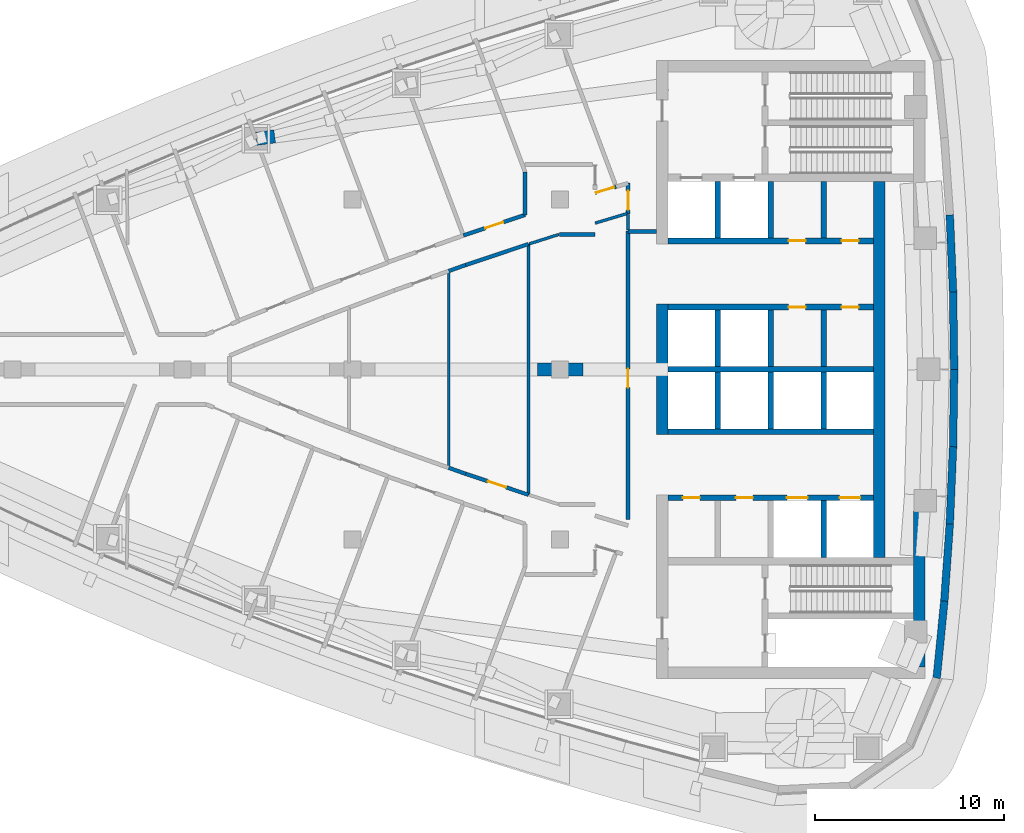
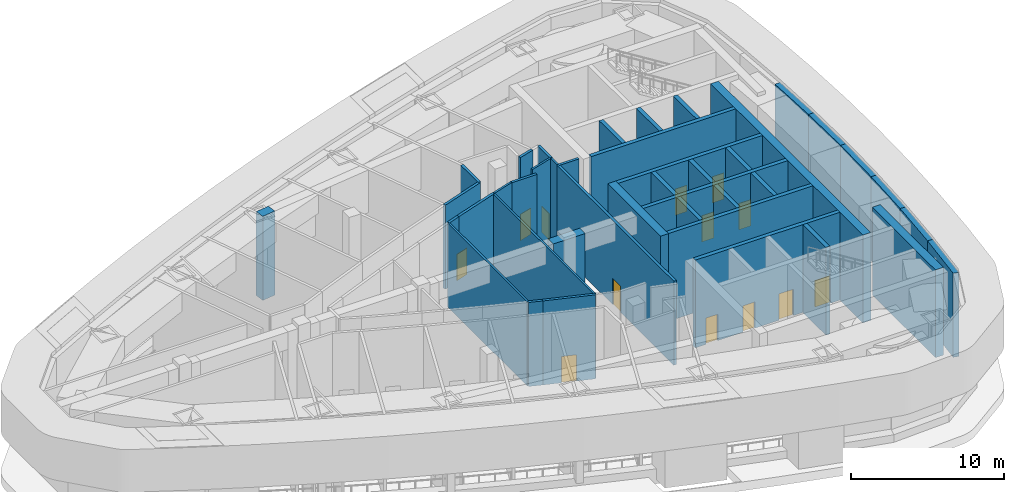
# One storey, part 4 of 12: 42 walls, 13 doors, 13 openings.
"""IFC4 building model written with IfcOpenShell, lengths in metres."""

from ifc_helpers import new_model, si_unit, direction, frame, frame_2d, origin, place, context, subcontext, project, spatial, polyline, rectangle, outline, extrude, material, layer, layer_set, type_object, element, fill, save


model = new_model("IFC4")

# Units and contexts
model_context = context("Model", 3, precision=1e-05, world=origin(), true_north=direction((0.0, 1.0)))
body_context = subcontext(model_context, "Body", "Model", "MODEL_VIEW")
ifc_project = project(units=[si_unit("LENGTHUNIT", "METRE"), si_unit("AREAUNIT", "SQUARE_METRE"), si_unit("VOLUMEUNIT", "CUBIC_METRE"), si_unit("PLANEANGLEUNIT", "RADIAN"), si_unit("MASSUNIT", "GRAM", prefix="KILO")], contexts=[model_context])

# Site, building, storey
site_placement = place(None, origin())
site = spatial("IfcSite", under=ifc_project, at=site_placement, CompositionType="ELEMENT")
building_placement = place(site_placement, origin())
building = spatial("IfcBuilding", under=site, at=building_placement, Name="Ostrand Prow Hotel Tower", CompositionType="ELEMENT")
storey_placement = place(building_placement, frame((0.0, 0.0, 256.300048828125)))
storey = spatial("IfcBuildingStorey", under=building, at=storey_placement, Name="L65", CompositionType="ELEMENT", Elevation=256.300048828125)

# Wall
ifc_material_1 = material(Name="Concrete C50/60", Category="concrete")
ifc_layer_1 = layer(ifc_material_1, 0.300048828125)
ifc_layer_set_1 = layer_set([ifc_layer_1], Name="Concrete C50/60")
wall_type_1 = type_object("IfcWallType", Name="Core wall 300 C50/60", PredefinedType="SHEAR", material=ifc_layer_set_1)
wall_1_placement = place(storey_placement, frame((50.699951171875, 0.0, 0.0), z_axis=(0.0, 0.0, 1.0), x_axis=(1.0, 0.0, 0.0)))
element("IfcWall", 1, at=wall_1_placement, inside=storey, type_object=wall_type_1, Name="Core wall PW-C", PredefinedType="SHEAR", context=body_context, shape_type="SweptSolid", body=[
    extrude(rectangle(XDim=10.900146484375, YDim=0.300048828125, at=frame_2d((5.4501953125, 0.0))), origin(), (0.0, 0.0, 1.0), 7.0),
])

# Wall, openings, doors
wall_2_placement = place(storey_placement, frame((50.699951171875, 3.300048828125, 0.0), z_axis=(0.0, 0.0, 1.0), x_axis=(1.0, 0.0, 0.0)))
wall_2 = element("IfcWall", 2, at=wall_2_placement, inside=storey, type_object=wall_type_1, Name="Core wall PW-L1-N", PredefinedType="SHEAR", context=body_context, shape_type="SweptSolid", body=[
    extrude(rectangle(XDim=10.900146484375, YDim=0.300048828125, at=frame_2d((5.4501953125, 0.0))), origin(), (0.0, 0.0, 1.0), 7.0),
])
opening_1_placement = place(wall_2_placement, frame((6.39990234375, 0.0, 0.0)))
opening_1 = element("IfcOpeningElement", 3, at=opening_1_placement, cuts=wall_2, Name="Opening FD2", PredefinedType="OPENING", context=body_context, shape_type="SweptSolid", body=[
    extrude(rectangle(XDim=0.89990234375, YDim=2.10009765625, at=frame_2d((0.449951171875, 1.050048828125))), frame((0.0, 0.159912109375, 0.0), z_axis=(0.0, -1.0, 0.0), x_axis=(1.0, 0.0, 0.0)), (0.0, 0.0, 1.0), 0.320068359375),
])
opening_2_placement = place(wall_2_placement, frame((9.199951171875, 0.0, 0.0)))
opening_2 = element("IfcOpeningElement", 4, at=opening_2_placement, cuts=wall_2, Name="Opening FD2", PredefinedType="OPENING", context=body_context, shape_type="SweptSolid", body=[
    extrude(rectangle(XDim=0.89990234375, YDim=2.10009765625, at=frame_2d((0.449951171875, 1.050048828125))), frame((0.0, 0.159912109375, 0.0), z_axis=(0.0, -1.0, 0.0), x_axis=(1.0, 0.0, 0.0)), (0.0, 0.0, 1.0), 0.320068359375),
])
ifc_material_2 = material(Name="Steel fire door", Category="steel")
door_type_1 = type_object("IfcDoorType", Name="Fire door 900 EI120", OperationType="SINGLE_SWING_LEFT", PredefinedType="DOOR", material=ifc_material_2)
door_1_placement = place(opening_1_placement, origin())
door_1 = element("IfcDoor", 5, at=door_1_placement, inside=storey, type_object=door_type_1, Name="DOOR", OperationType="SINGLE_SWING_LEFT", OverallHeight=2.10009765625, OverallWidth=0.89990234375, PredefinedType="DOOR", context=body_context, shape_type="SweptSolid", body=[
    extrude(rectangle(XDim=0.89990234375, YDim=2.10009765625, at=frame_2d((0.449951171875, 1.050048828125))), frame((0.0, 0.02490234375, 0.0), z_axis=(0.0, -1.0, 0.0), x_axis=(1.0, 0.0, 0.0)), (0.0, 0.0, 1.0), 0.050048828125),
])
fill(opening_1, door_1)
door_2_placement = place(opening_2_placement, origin())
door_2 = element("IfcDoor", 6, at=door_2_placement, inside=storey, type_object=door_type_1, Name="DOOR", OperationType="SINGLE_SWING_LEFT", OverallHeight=2.10009765625, OverallWidth=0.89990234375, PredefinedType="DOOR", context=body_context, shape_type="SweptSolid", body=[
    extrude(rectangle(XDim=0.89990234375, YDim=2.10009765625, at=frame_2d((0.449951171875, 1.050048828125))), frame((0.0, 0.02490234375, 0.0), z_axis=(0.0, -1.0, 0.0), x_axis=(1.0, 0.0, 0.0)), (0.0, 0.0, 1.0), 0.050048828125),
])
fill(opening_2, door_2)

wall_3_placement = place(storey_placement, frame((50.699951171875, 6.800048828125, 0.0), z_axis=(0.0, 0.0, 1.0), x_axis=(1.0, 0.0, 0.0)))
wall_3 = element("IfcWall", 7, at=wall_3_placement, inside=storey, type_object=wall_type_1, Name="Core wall PW-L2-N", PredefinedType="SHEAR", context=body_context, shape_type="SweptSolid", body=[
    extrude(rectangle(XDim=10.900146484375, YDim=0.300048828125, at=frame_2d((5.4501953125, 0.0))), origin(), (0.0, 0.0, 1.0), 7.0),
])
opening_3_placement = place(wall_3_placement, frame((6.39990234375, 0.0, 0.0)))
opening_3 = element("IfcOpeningElement", 8, at=opening_3_placement, cuts=wall_3, Name="Opening FD2", PredefinedType="OPENING", context=body_context, shape_type="SweptSolid", body=[
    extrude(rectangle(XDim=0.89990234375, YDim=2.10009765625, at=frame_2d((0.449951171875, 1.050048828125))), frame((0.0, 0.159912109375, 0.0), z_axis=(0.0, -1.0, 0.0), x_axis=(1.0, 0.0, 0.0)), (0.0, 0.0, 1.0), 0.320068359375),
])
opening_4_placement = place(wall_3_placement, frame((9.199951171875, 0.0, 0.0)))
opening_4 = element("IfcOpeningElement", 9, at=opening_4_placement, cuts=wall_3, Name="Opening FD2", PredefinedType="OPENING", context=body_context, shape_type="SweptSolid", body=[
    extrude(rectangle(XDim=0.89990234375, YDim=2.10009765625, at=frame_2d((0.449951171875, 1.050048828125))), frame((0.0, 0.159912109375, 0.0), z_axis=(0.0, -1.0, 0.0), x_axis=(1.0, 0.0, 0.0)), (0.0, 0.0, 1.0), 0.320068359375),
])
door_3_placement = place(opening_3_placement, origin())
door_3 = element("IfcDoor", 10, at=door_3_placement, inside=storey, type_object=door_type_1, Name="DOOR", OperationType="SINGLE_SWING_LEFT", OverallHeight=2.10009765625, OverallWidth=0.89990234375, PredefinedType="DOOR", context=body_context, shape_type="SweptSolid", body=[
    extrude(rectangle(XDim=0.89990234375, YDim=2.10009765625, at=frame_2d((0.449951171875, 1.050048828125))), frame((0.0, 0.02490234375, 0.0), z_axis=(0.0, -1.0, 0.0), x_axis=(1.0, 0.0, 0.0)), (0.0, 0.0, 1.0), 0.050048828125),
])
fill(opening_3, door_3)
door_4_placement = place(opening_4_placement, origin())
door_4 = element("IfcDoor", 11, at=door_4_placement, inside=storey, type_object=door_type_1, Name="DOOR", OperationType="SINGLE_SWING_LEFT", OverallHeight=2.10009765625, OverallWidth=0.89990234375, PredefinedType="DOOR", context=body_context, shape_type="SweptSolid", body=[
    extrude(rectangle(XDim=0.89990234375, YDim=2.10009765625, at=frame_2d((0.449951171875, 1.050048828125))), frame((0.0, 0.02490234375, 0.0), z_axis=(0.0, -1.0, 0.0), x_axis=(1.0, 0.0, 0.0)), (0.0, 0.0, 1.0), 0.050048828125),
])
fill(opening_4, door_4)

# Walls
for number, where, z_axis, x_axis, name in (
    (12, (53.35009765625, 0.14990234375, 0.0), (0.0, 0.0, 1.0), (0.0, 1.0, 0.0), "Core wall PW-R1-NB"),
    (13, (53.35009765625, 6.949951171875, 0.0), (0.0, 0.0, 1.0), (0.0, 1.0, 0.0), "Core wall PW-R1-NA"),
    (14, (56.14990234375, 0.14990234375, 0.0), (0.0, 0.0, 1.0), (0.0, 1.0, 0.0), "Core wall PW-R2-NB"),
    (15, (56.14990234375, 6.949951171875, 0.0), (0.0, 0.0, 1.0), (0.0, 1.0, 0.0), "Core wall PW-R2-NA"),
    (16, (58.949951171875, 0.14990234375, 0.0), (0.0, 0.0, 1.0), (0.0, 1.0, 0.0), "Core wall PW-R3-NB"),
    (17, (58.949951171875, 6.949951171875, 0.0), (0.0, 0.0, 1.0), (0.0, 1.0, 0.0), "Core wall PW-R3-NA"),
):
    element("IfcWall", number, at=place(storey_placement, frame(where, z_axis=z_axis, x_axis=x_axis)), inside=storey, type_object=wall_type_1, Name=name, PredefinedType="SHEAR", context=body_context, shape_type="SweptSolid", body=[
        extrude(rectangle(XDim=3.0, YDim=0.300048828125, at=frame_2d((1.5, 0.0))), origin(), (0.0, 0.0, 1.0), 7.0),
    ])
wall_4_placement = place(storey_placement, frame((50.699951171875, -3.300048828125, 0.0), z_axis=(0.0, 0.0, 1.0), x_axis=(1.0, 0.0, 0.0)))
element("IfcWall", 18, at=wall_4_placement, inside=storey, type_object=wall_type_1, Name="Core wall PW-L1-S", PredefinedType="SHEAR", context=body_context, shape_type="SweptSolid", body=[
    extrude(rectangle(XDim=10.900146484375, YDim=0.300048828125, at=frame_2d((5.4501953125, 0.0))), origin(), (0.0, 0.0, 1.0), 7.0),
])

# Wall, openings, doors
wall_5_placement = place(storey_placement, frame((50.699951171875, -6.800048828125, 0.0), z_axis=(0.0, 0.0, 1.0), x_axis=(1.0, 0.0, 0.0)))
wall_5 = element("IfcWall", 19, at=wall_5_placement, inside=storey, type_object=wall_type_1, Name="Core wall PW-L2-S", PredefinedType="SHEAR", context=body_context, shape_type="SweptSolid", body=[
    extrude(rectangle(XDim=10.900146484375, YDim=0.300048828125, at=frame_2d((5.4501953125, 0.0))), origin(), (0.0, 0.0, 1.0), 7.0),
])
opening_5_placement = place(wall_5_placement, frame((6.300048828125, 0.0, 0.0)))
opening_5 = element("IfcOpeningElement", 20, at=opening_5_placement, cuts=wall_5, Name="Opening LD", PredefinedType="OPENING", context=body_context, shape_type="SweptSolid", body=[
    extrude(rectangle(XDim=1.10009765625, YDim=2.10009765625, at=frame_2d((0.550048828125, 1.050048828125))), frame((0.0, 0.159912109375, 0.0), z_axis=(0.0, -1.0, 0.0), x_axis=(1.0, 0.0, 0.0)), (0.0, 0.0, 1.0), 0.320068359375),
])
opening_6_placement = place(wall_5_placement, frame((9.10009765625, 0.0, 0.0)))
opening_6 = element("IfcOpeningElement", 21, at=opening_6_placement, cuts=wall_5, Name="Opening LD", PredefinedType="OPENING", context=body_context, shape_type="SweptSolid", body=[
    extrude(rectangle(XDim=1.10009765625, YDim=2.10009765625, at=frame_2d((0.550048828125, 1.050048828125))), frame((0.0, 0.159912109375, 0.0), z_axis=(0.0, -1.0, 0.0), x_axis=(1.0, 0.0, 0.0)), (0.0, 0.0, 1.0), 0.320068359375),
])
opening_7_placement = place(wall_5_placement, frame((0.800048828125, 0.0, 0.0)))
opening_7 = element("IfcOpeningElement", 22, at=opening_7_placement, cuts=wall_5, Name="Opening FD2", PredefinedType="OPENING", context=body_context, shape_type="SweptSolid", body=[
    extrude(rectangle(XDim=0.89990234375, YDim=2.10009765625, at=frame_2d((0.449951171875, 1.050048828125))), frame((0.0, 0.159912109375, 0.0), z_axis=(0.0, -1.0, 0.0), x_axis=(1.0, 0.0, 0.0)), (0.0, 0.0, 1.0), 0.320068359375),
])
opening_8_placement = place(wall_5_placement, frame((3.60009765625, 0.0, 0.0)))
opening_8 = element("IfcOpeningElement", 23, at=opening_8_placement, cuts=wall_5, Name="Opening FD2", PredefinedType="OPENING", context=body_context, shape_type="SweptSolid", body=[
    extrude(rectangle(XDim=0.89990234375, YDim=2.10009765625, at=frame_2d((0.449951171875, 1.050048828125))), frame((0.0, 0.159912109375, 0.0), z_axis=(0.0, -1.0, 0.0), x_axis=(1.0, 0.0, 0.0)), (0.0, 0.0, 1.0), 0.320068359375),
])
door_5_placement = place(opening_7_placement, origin())
door_5 = element("IfcDoor", 24, at=door_5_placement, inside=storey, type_object=door_type_1, Name="DOOR", OperationType="SINGLE_SWING_LEFT", OverallHeight=2.10009765625, OverallWidth=0.89990234375, PredefinedType="DOOR", context=body_context, shape_type="SweptSolid", body=[
    extrude(rectangle(XDim=0.89990234375, YDim=2.10009765625, at=frame_2d((0.449951171875, 1.050048828125))), frame((0.0, 0.02490234375, 0.0), z_axis=(0.0, -1.0, 0.0), x_axis=(1.0, 0.0, 0.0)), (0.0, 0.0, 1.0), 0.050048828125),
])
fill(opening_7, door_5)
door_6_placement = place(opening_8_placement, origin())
door_6 = element("IfcDoor", 25, at=door_6_placement, inside=storey, type_object=door_type_1, Name="DOOR", OperationType="SINGLE_SWING_LEFT", OverallHeight=2.10009765625, OverallWidth=0.89990234375, PredefinedType="DOOR", context=body_context, shape_type="SweptSolid", body=[
    extrude(rectangle(XDim=0.89990234375, YDim=2.10009765625, at=frame_2d((0.449951171875, 1.050048828125))), frame((0.0, 0.02490234375, 0.0), z_axis=(0.0, -1.0, 0.0), x_axis=(1.0, 0.0, 0.0)), (0.0, 0.0, 1.0), 0.050048828125),
])
fill(opening_8, door_6)
ifc_material_3 = material(Name="Stainless steel door", Category="steel")
door_type_2 = type_object("IfcDoorType", Name="Lift landing door 1100", OperationType="DOUBLE_DOOR_SLIDING", PredefinedType="DOOR", material=ifc_material_3)
door_7_placement = place(opening_5_placement, origin())
door_7 = element("IfcDoor", 26, at=door_7_placement, inside=storey, type_object=door_type_2, Name="LIFT LANDING DOOR", OperationType="DOUBLE_DOOR_SLIDING", OverallHeight=2.10009765625, OverallWidth=1.10009765625, PredefinedType="DOOR", context=body_context, shape_type="SweptSolid", body=[
    extrude(rectangle(XDim=1.10009765625, YDim=2.10009765625, at=frame_2d((0.550048828125, 1.050048828125))), frame((0.0, 0.02490234375, 0.0), z_axis=(0.0, -1.0, 0.0), x_axis=(1.0, 0.0, 0.0)), (0.0, 0.0, 1.0), 0.050048828125),
])
fill(opening_5, door_7)
door_8_placement = place(opening_6_placement, origin())
door_8 = element("IfcDoor", 27, at=door_8_placement, inside=storey, type_object=door_type_2, Name="LIFT LANDING DOOR", OperationType="DOUBLE_DOOR_SLIDING", OverallHeight=2.10009765625, OverallWidth=1.10009765625, PredefinedType="DOOR", context=body_context, shape_type="SweptSolid", body=[
    extrude(rectangle(XDim=1.10009765625, YDim=2.10009765625, at=frame_2d((0.550048828125, 1.050048828125))), frame((0.0, 0.02490234375, 0.0), z_axis=(0.0, -1.0, 0.0), x_axis=(1.0, 0.0, 0.0)), (0.0, 0.0, 1.0), 0.050048828125),
])
fill(opening_6, door_8)

# Walls
for number, where, z_axis, x_axis, name in (
    (28, (53.35009765625, -3.14990234375, 0.0), (0.0, 0.0, 1.0), (0.0, 1.0, 0.0), "Core wall PW-R1-SB"),
    (29, (56.14990234375, -3.14990234375, 0.0), (0.0, 0.0, 1.0), (0.0, 1.0, 0.0), "Core wall PW-R2-SB"),
    (30, (58.949951171875, -3.14990234375, 0.0), (0.0, 0.0, 1.0), (0.0, 1.0, 0.0), "Core wall PW-R3-SB"),
    (31, (58.949951171875, -9.949951171875, 0.0), (0.0, 0.0, 1.0), (0.0, 1.0, 0.0), "Core wall PW-R3-SA"),
):
    element("IfcWall", number, at=place(storey_placement, frame(where, z_axis=z_axis, x_axis=x_axis)), inside=storey, type_object=wall_type_1, Name=name, PredefinedType="SHEAR", context=body_context, shape_type="SweptSolid", body=[
        extrude(rectangle(XDim=3.0, YDim=0.300048828125, at=frame_2d((1.5, 0.0))), origin(), (0.0, 0.0, 1.0), 7.0),
    ])
ifc_material_4 = material(Name="Concrete C50/60", Category="concrete")
ifc_layer_2 = layer(ifc_material_4, 0.60009765625)
ifc_layer_set_2 = layer_set([ifc_layer_2], Name="Concrete C50/60")
wall_type_2 = type_object("IfcWallType", Name="Core wall 600 C50/60", PredefinedType="SHEAR", material=ifc_layer_set_2)
wall_6_placement = place(storey_placement, frame((50.39990234375, -3.449951171875, 0.0), z_axis=(0.0, 0.0, 1.0), x_axis=(0.0, 1.0, 0.0)))
element("IfcWall", 32, at=wall_6_placement, inside=storey, type_object=wall_type_2, Name="Core wall CW-W-C", PredefinedType="SHEAR", context=body_context, shape_type="SweptSolid", body=[
    extrude(rectangle(XDim=6.89990234375, YDim=0.60009765625, at=frame_2d((3.449951171875, 0.0))), origin(), (0.0, 0.0, 1.0), 7.0),
])
wall_7_placement = place(storey_placement, frame((64.02001953125, -15.75, 0.0), z_axis=(0.0, 0.0, 1.0), x_axis=(0.0, 1.0, 0.0)))
element("IfcWall", 33, at=wall_7_placement, inside=storey, type_object=wall_type_2, Name="Core wall CW-E-S", PredefinedType="SHEAR", context=body_context, shape_type="SweptSolid", body=[
    extrude(rectangle(XDim=8.247802734375, YDim=0.60009765625, at=frame_2d((4.1240234375, 0.0))), origin(), (0.0, 0.0, 1.0), 7.0),
])
wall_8_placement = place(storey_placement, frame((61.89990234375, -9.949951171875, 0.0), z_axis=(0.0, 0.0, 1.0), x_axis=(0.0, 1.0, 0.0)))
element("IfcWall", 34, at=wall_8_placement, inside=storey, type_object=wall_type_2, Name="Core wall CW-E-C", PredefinedType="SHEAR", context=body_context, shape_type="SweptSolid", body=[
    extrude(rectangle(XDim=19.89990234375, YDim=0.60009765625, at=frame_2d((9.949951171875, 0.0))), origin(), (0.0, 0.0, 1.0), 7.0),
])
ifc_material_5 = material(Name="Concrete C50/60", Category="concrete")
ifc_layer_3 = layer(ifc_material_5, 0.699951171875)
ifc_layer_set_3 = layer_set([ifc_layer_3], Name="Concrete C50/60")
wall_type_3 = type_object("IfcWallType", Name="Outrigger wall 700 C50/60", PredefinedType="SHEAR", material=ifc_layer_set_3)
wall_9_placement = place(storey_placement, frame((43.800048828125, 0.0, 0.0), z_axis=(0.0, 0.0, 1.0), x_axis=(1.0, 0.0, 0.0)))
element("IfcWall", 35, at=wall_9_placement, inside=storey, type_object=wall_type_3, Name="Outrigger wall A5", PredefinedType="SHEAR", context=body_context, shape_type="SweptSolid", body=[
    extrude(rectangle(XDim=2.39990234375, YDim=0.699951171875, at=frame_2d((1.199951171875, 0.0))), origin(), (0.0, 0.0, 1.0), 6.699951171875),
])
wall_10_placement = place(storey_placement, frame((29.8916015625, 12.336181640625, 0.0), z_axis=(0.0, 0.0, 1.0), x_axis=(-0.991401867066, -0.130852351822, 0.0)))
element("IfcWall", 36, at=wall_10_placement, inside=storey, type_object=wall_type_3, Name="Outrigger wall DN2", PredefinedType="SHEAR", context=body_context, shape_type="SweptSolid", body=[
    extrude(rectangle(XDim=1.0, YDim=0.699951171875, at=frame_2d((0.5, 0.0))), origin(), (0.0, 0.0, 1.0), 6.699951171875),
])
ifc_material_6 = material(Name="Plasterboard partition")
ifc_layer_4 = layer(ifc_material_6, 0.14990234375)
ifc_layer_set_4 = layer_set([ifc_layer_4], Name="Plasterboard partition")
wall_type_4 = type_object("IfcWallType", Name="Partition 150 room partition", PredefinedType="PARTITIONING", material=ifc_layer_set_4)
wall_11_placement = place(storey_placement, frame((39.10498046875, -5.20849609375, 0.0), z_axis=(0.0, 0.0, 1.0), x_axis=(0.0, 1.0, 0.0)))
element("IfcWall", 37, at=wall_11_placement, inside=storey, type_object=wall_type_4, Name="ROOM PARTITION", PredefinedType="PARTITIONING", context=body_context, shape_type="SweptSolid", body=[
    extrude(rectangle(XDim=10.4169921875, YDim=0.14990234375, at=frame_2d((5.20849609375, 0.0))), origin(), (0.0, 0.0, 1.0), 6.699951171875),
])
wall_12_placement = place(storey_placement, frame((43.324951171875, -6.638427734375, 0.0), z_axis=(0.0, 0.0, 1.0), x_axis=(0.0, 1.0, 0.0)))
element("IfcWall", 38, at=wall_12_placement, inside=storey, type_object=wall_type_4, Name="ROOM PARTITION", PredefinedType="PARTITIONING", context=body_context, shape_type="SweptSolid", body=[
    extrude(rectangle(XDim=13.27685546875, YDim=0.14990234375, at=frame_2d((6.638427734375, 0.0))), origin(), (0.0, 0.0, 1.0), 6.699951171875),
])
wall_13_placement = place(storey_placement, frame((43.3642578125, 6.645751953125, 0.0), z_axis=(0.0, 0.0, 1.0), x_axis=(0.952937461129, 0.303166942752, 0.0)))
element("IfcWall", 39, at=wall_13_placement, inside=storey, type_object=wall_type_4, Name="ROOM PARTITION", PredefinedType="PARTITIONING", context=body_context, shape_type="SweptSolid", body=[
    extrude(rectangle(XDim=1.646728515625, YDim=0.14990234375, at=frame_2d((0.8232421875, 0.0))), origin(), (0.0, 0.0, 1.0), 6.699951171875),
])
wall_14_placement = place(storey_placement, frame((46.85498046875, 7.744140625, 0.0), z_axis=(0.0, 0.0, 1.0), x_axis=(0.95802238392, 0.286693410996, 0.0)))
element("IfcWall", 40, at=wall_14_placement, inside=storey, type_object=wall_type_4, Name="ROOM PARTITION", PredefinedType="PARTITIONING", context=body_context, shape_type="SweptSolid", body=[
    extrude(rectangle(XDim=1.77978515625, YDim=0.14990234375, at=frame_2d((0.889892578125, 0.0))), origin(), (0.0, 0.0, 1.0), 6.699951171875),
])
wall_15_placement = place(storey_placement, frame((48.594970703125, 8.20068359375, 0.0), z_axis=(0.0, 0.0, 1.0), x_axis=(0.0, -1.0, 0.0)))
element("IfcWall", 41, at=wall_15_placement, inside=storey, type_object=wall_type_4, Name="ROOM PARTITION", PredefinedType="PARTITIONING", context=body_context, shape_type="SweptSolid", body=[
    extrude(rectangle(XDim=0.8310546875, YDim=0.14990234375, at=frame_2d((0.41552734375, 0.0))), origin(), (0.0, 0.0, 1.0), 6.699951171875),
])

# Wall, opening, door
ifc_material_7 = material(Name="Plasterboard partition")
ifc_layer_5 = layer(ifc_material_7, 0.199951171875)
ifc_layer_set_5 = layer_set([ifc_layer_5], Name="Plasterboard partition")
wall_type_5 = type_object("IfcWallType", Name="Partition 200 corridor wall", PredefinedType="PARTITIONING", material=ifc_layer_set_5)
wall_16_placement = place(storey_placement, frame((43.14990234375, 8.1826171875, 0.0), z_axis=(0.0, 0.0, 1.0), x_axis=(-0.948477584784, -0.316844238013, 0.0)))
wall_16 = element("IfcWall", 42, at=wall_16_placement, inside=storey, type_object=wall_type_5, Name="CORRIDOR WALL", PredefinedType="PARTITIONING", context=body_context, shape_type="SweptSolid", body=[
    extrude(rectangle(XDim=3.445068359375, YDim=0.199951171875, at=frame_2d((1.72265625, 0.0))), origin(), (0.0, 0.0, 1.0), 6.699951171875),
])
opening_9_placement = place(wall_16_placement, frame((1.222412109375, 0.0, 0.0)))
opening_9 = element("IfcOpeningElement", 43, at=opening_9_placement, cuts=wall_16, Name="Opening D1", PredefinedType="OPENING", context=body_context, shape_type="SweptSolid", body=[
    extrude(rectangle(XDim=1.0, YDim=2.10009765625, at=frame_2d((0.5, 1.050048828125))), frame((0.0, 0.10986328125, 0.0), z_axis=(0.0, -1.0, 0.0), x_axis=(1.0, 0.0, 0.0)), (0.0, 0.0, 1.0), 0.219970703125),
])
ifc_material_8 = material(Name="Timber door leaf", Category="wood")
door_type_3 = type_object("IfcDoorType", Name="Guest room door 1000", OperationType="SINGLE_SWING_LEFT", PredefinedType="DOOR", material=ifc_material_8)
door_9_placement = place(opening_9_placement, origin())
door_9 = element("IfcDoor", 44, at=door_9_placement, inside=storey, type_object=door_type_3, Name="DOOR", OperationType="SINGLE_SWING_LEFT", OverallHeight=2.10009765625, OverallWidth=1.0, PredefinedType="DOOR", context=body_context, shape_type="SweptSolid", body=[
    extrude(rectangle(XDim=1.0, YDim=2.10009765625, at=frame_2d((0.5, 1.050048828125))), frame((0.0, 0.02490234375, 0.0), z_axis=(0.0, -1.0, 0.0), x_axis=(1.0, 0.0, 0.0)), (0.0, 0.0, 1.0), 0.050048828125),
])
fill(opening_9, door_9)

wall_17_placement = place(storey_placement, frame((47.96923828125, 9.67138671875, 0.0), z_axis=(0.0, 0.0, 1.0), x_axis=(-0.958867721668, -0.283853293696, 0.0)))
wall_17 = element("IfcWall", 45, at=wall_17_placement, inside=storey, type_object=wall_type_5, Name="CORRIDOR WALL", PredefinedType="PARTITIONING", context=body_context, shape_type="SweptSolid", body=[
    extrude(rectangle(XDim=1.167236328125, YDim=0.199951171875, at=frame_2d((0.58349609375, 0.0))), origin(), (0.0, 0.0, 1.0), 6.699951171875),
])
opening_10_placement = place(wall_17_placement, frame((0.1171875, 0.0, 0.0)))
opening_10 = element("IfcOpeningElement", 46, at=opening_10_placement, cuts=wall_17, Name="Opening D1R", PredefinedType="OPENING", context=body_context, shape_type="SweptSolid", body=[
    extrude(rectangle(XDim=1.0, YDim=2.10009765625, at=frame_2d((0.5, 1.050048828125))), frame((0.0, 0.10986328125, 0.0), z_axis=(0.0, -1.0, 0.0), x_axis=(1.0, 0.0, 0.0)), (0.0, 0.0, 1.0), 0.219970703125),
])
ifc_material_9 = material(Name="Timber door leaf", Category="wood")
door_type_4 = type_object("IfcDoorType", Name="Guest room door 1000 right", OperationType="SINGLE_SWING_RIGHT", PredefinedType="DOOR", material=ifc_material_9)
door_10_placement = place(opening_10_placement, origin())
door_10 = element("IfcDoor", 47, at=door_10_placement, inside=storey, type_object=door_type_4, Name="DOOR", OperationType="SINGLE_SWING_RIGHT", OverallHeight=2.10009765625, OverallWidth=1.0, PredefinedType="DOOR", context=body_context, shape_type="SweptSolid", body=[
    extrude(rectangle(XDim=1.0, YDim=2.10009765625, at=frame_2d((0.5, 1.050048828125))), frame((0.0, 0.02490234375, 0.0), z_axis=(0.0, -1.0, 0.0), x_axis=(1.0, 0.0, 0.0)), (0.0, 0.0, 1.0), 0.050048828125),
])
fill(opening_10, door_10)

wall_18_placement = place(storey_placement, frame((43.324951171875, -6.638427734375, 0.0), z_axis=(0.0, 0.0, 1.0), x_axis=(-0.948467231483, 0.316875229077, 0.0)))
wall_18 = element("IfcWall", 48, at=wall_18_placement, inside=storey, type_object=wall_type_5, Name="CORRIDOR WALL", PredefinedType="PARTITIONING", context=body_context, shape_type="SweptSolid", body=[
    extrude(rectangle(XDim=3.50634765625, YDim=0.199951171875, at=frame_2d((1.753173828125, 0.0))), origin(), (0.0, 0.0, 1.0), 6.699951171875),
])
opening_11_placement = place(wall_18_placement, frame((1.253173828125, 0.0, 0.0)))
opening_11 = element("IfcOpeningElement", 49, at=opening_11_placement, cuts=wall_18, Name="Opening D1", PredefinedType="OPENING", context=body_context, shape_type="SweptSolid", body=[
    extrude(rectangle(XDim=1.0, YDim=2.10009765625, at=frame_2d((0.5, 1.050048828125))), frame((0.0, 0.10986328125, 0.0), z_axis=(0.0, -1.0, 0.0), x_axis=(1.0, 0.0, 0.0)), (0.0, 0.0, 1.0), 0.219970703125),
])
door_11_placement = place(opening_11_placement, origin())
door_11 = element("IfcDoor", 50, at=door_11_placement, inside=storey, type_object=door_type_3, Name="DOOR", OperationType="SINGLE_SWING_LEFT", OverallHeight=2.10009765625, OverallWidth=1.0, PredefinedType="DOOR", context=body_context, shape_type="SweptSolid", body=[
    extrude(rectangle(XDim=1.0, YDim=2.10009765625, at=frame_2d((0.5, 1.050048828125))), frame((0.0, 0.02490234375, 0.0), z_axis=(0.0, -1.0, 0.0), x_axis=(1.0, 0.0, 0.0)), (0.0, 0.0, 1.0), 0.050048828125),
])
fill(opening_11, door_11)

# Walls
for number, where, z_axis, x_axis, name in (
    (51, (39.999267578125, -5.52734375, 0.0), (0.0, 0.0, 1.0), (-0.941922126768, 0.335831367065, 0.0), "CORRIDOR WALL"),
    (52, (39.10498046875, 5.20849609375, 0.0), (0.0, 0.0, 1.0), (0.941922126768, 0.335831367065, 0.0), "CORRIDOR WALL"),
):
    element("IfcWall", number, at=place(storey_placement, frame(where, z_axis=z_axis, x_axis=x_axis)), inside=storey, type_object=wall_type_5, Name=name, PredefinedType="PARTITIONING", context=body_context, shape_type="SweptSolid", body=[
        extrude(rectangle(XDim=0.949462890625, YDim=0.199951171875, at=frame_2d((0.474609375, 0.0))), origin(), (0.0, 0.0, 1.0), 6.699951171875),
    ])
wall_19_placement = place(storey_placement, frame((39.999267578125, 5.52734375, 0.0), z_axis=(0.0, 0.0, 1.0), x_axis=(0.948467231483, 0.316875229077, 0.0)))
element("IfcWall", 53, at=wall_19_placement, inside=storey, type_object=wall_type_5, Name="CORRIDOR WALL", PredefinedType="PARTITIONING", context=body_context, shape_type="SweptSolid", body=[
    extrude(rectangle(XDim=3.50634765625, YDim=0.199951171875, at=frame_2d((1.753173828125, 0.0))), origin(), (0.0, 0.0, 1.0), 6.699951171875),
])

# Wall, opening, door
wall_20_placement = place(storey_placement, frame((48.60009765625, 8.240234375, 0.0), z_axis=(0.0, 0.0, 1.0), x_axis=(0.0, 1.0, 0.0)))
wall_20 = element("IfcWall", 54, at=wall_20_placement, inside=storey, type_object=wall_type_5, Name="CORRIDOR WALL", PredefinedType="PARTITIONING", context=body_context, shape_type="SweptSolid", body=[
    extrude(rectangle(XDim=1.623046875, YDim=0.199951171875, at=frame_2d((0.8115234375, 0.0))), origin(), (0.0, 0.0, 1.0), 6.699951171875),
])
opening_12_placement = place(wall_20_placement, frame((0.21142578125, 0.0, 0.0)))
opening_12 = element("IfcOpeningElement", 55, at=opening_12_placement, cuts=wall_20, Name="Opening D1R", PredefinedType="OPENING", context=body_context, shape_type="SweptSolid", body=[
    extrude(rectangle(XDim=1.0, YDim=2.10009765625, at=frame_2d((0.5, 1.050048828125))), frame((0.0, 0.10986328125, 0.0), z_axis=(0.0, -1.0, 0.0), x_axis=(1.0, 0.0, 0.0)), (0.0, 0.0, 1.0), 0.219970703125),
])
door_12_placement = place(opening_12_placement, origin())
door_12 = element("IfcDoor", 56, at=door_12_placement, inside=storey, type_object=door_type_4, Name="DOOR", OperationType="SINGLE_SWING_RIGHT", OverallHeight=2.10009765625, OverallWidth=1.0, PredefinedType="DOOR", context=body_context, shape_type="SweptSolid", body=[
    extrude(rectangle(XDim=1.0, YDim=2.10009765625, at=frame_2d((0.5, 1.050048828125))), frame((0.0, 0.02490234375, 0.0), z_axis=(0.0, -1.0, 0.0), x_axis=(1.0, 0.0, 0.0)), (0.0, 0.0, 1.0), 0.050048828125),
])
fill(opening_12, door_12)

wall_21_placement = place(storey_placement, frame((48.594970703125, 7.32958984375, 0.0), z_axis=(0.0, 0.0, 1.0), x_axis=(0.0, -1.0, 0.0)))
wall_21 = element("IfcWall", 57, at=wall_21_placement, inside=storey, type_object=wall_type_5, Name="CORRIDOR WALL", PredefinedType="PARTITIONING", context=body_context, shape_type="SweptSolid", body=[
    extrude(rectangle(XDim=15.28662109375, YDim=0.199951171875, at=frame_2d((7.643310546875, 0.0))), origin(), (0.0, 0.0, 1.0), 6.699951171875),
])
opening_13_placement = place(wall_21_placement, frame((7.297119140625, 0.0, 0.0)))
opening_13 = element("IfcOpeningElement", 58, at=opening_13_placement, cuts=wall_21, Name="Opening D1", PredefinedType="OPENING", context=body_context, shape_type="SweptSolid", body=[
    extrude(rectangle(XDim=1.0, YDim=2.10009765625, at=frame_2d((0.5, 1.050048828125))), frame((0.0, 0.10986328125, 0.0), z_axis=(0.0, -1.0, 0.0), x_axis=(1.0, 0.0, 0.0)), (0.0, 0.0, 1.0), 0.219970703125),
])
door_13_placement = place(opening_13_placement, origin())
door_13 = element("IfcDoor", 59, at=door_13_placement, inside=storey, type_object=door_type_3, Name="DOOR", OperationType="SINGLE_SWING_LEFT", OverallHeight=2.10009765625, OverallWidth=1.0, PredefinedType="DOOR", context=body_context, shape_type="SweptSolid", body=[
    extrude(rectangle(XDim=1.0, YDim=2.10009765625, at=frame_2d((0.5, 1.050048828125))), frame((0.0, 0.02490234375, 0.0), z_axis=(0.0, -1.0, 0.0), x_axis=(1.0, 0.0, 0.0)), (0.0, 0.0, 1.0), 0.050048828125),
])
fill(opening_13, door_13)

# Walls
wall_22_placement = place(storey_placement, frame((44.973388671875, 7.14501953125, 0.0), z_axis=(0.0, 0.0, 1.0), x_axis=(0.999999991552, 0.0001299883, 0.0)))
element("IfcWall", 60, at=wall_22_placement, inside=storey, type_object=wall_type_5, Name="CORRIDOR WALL", PredefinedType="PARTITIONING", context=body_context, shape_type="SweptSolid", body=[
    extrude(rectangle(XDim=1.878173828125, YDim=0.199951171875, at=frame_2d((0.93896484375, 0.0))), origin(), (0.0, 0.0, 1.0), 6.699951171875),
])
wall_23_placement = place(storey_placement, frame((43.14990234375, 10.449951171875, 0.0), z_axis=(0.0, 0.0, 1.0), x_axis=(0.0, -1.0, 0.0)))
element("IfcWall", 61, at=wall_23_placement, inside=storey, type_object=wall_type_5, Name="CORRIDOR WALL", PredefinedType="PARTITIONING", context=body_context, shape_type="SweptSolid", body=[
    extrude(rectangle(XDim=2.267333984375, YDim=0.199951171875, at=frame_2d((1.1337890625, 0.0))), origin(), (0.0, 0.0, 1.0), 6.699951171875),
])
ifc_material_10 = material(Name="Plasterboard partition")
ifc_layer_6 = layer(ifc_material_10, 0.199951171875)
ifc_layer_set_6 = layer_set([ifc_layer_6], Name="Plasterboard partition")
wall_type_6 = type_object("IfcWallType", Name="Partition 200 refuge wall", PredefinedType="PARTITIONING", material=ifc_layer_set_6)
wall_24_placement = place(storey_placement, frame((48.60009765625, 7.300048828125, 0.0), z_axis=(0.0, 0.0, 1.0), x_axis=(1.0, 0.0, 0.0)))
element("IfcWall", 62, at=wall_24_placement, inside=storey, type_object=wall_type_6, Name="REFUGE WALL", PredefinedType="PARTITIONING", context=body_context, shape_type="SweptSolid", body=[
    extrude(rectangle(XDim=1.5, YDim=0.199951171875, at=frame_2d((0.75, 0.0))), origin(), (0.0, 0.0, 1.0), 6.699951171875),
])
ifc_material_11 = material(Name="Precast concrete C40/50", Category="concrete")
ifc_layer_7 = layer(ifc_material_11, 0.39990234375)
ifc_layer_set_7 = layer_set([ifc_layer_7], Name="Precast concrete C40/50")
wall_type_7 = type_object("IfcWallType", Name="Stone-faced precast wall 400 mm", PredefinedType="NOTDEFINED", material=ifc_layer_set_7)
wall_25_placement = place(storey_placement, frame((64.9375, -16.33740234375, 0.0), z_axis=(0.0, 0.0, 1.0), x_axis=(0.098718218066, 0.995115427185, 0.0)))
element("IfcWall", 63, at=wall_25_placement, inside=storey, type_object=wall_type_7, Name="Stone-faced wall back 5", PredefinedType="NOTDEFINED", context=body_context, shape_type="SweptSolid", body=[
    extrude(outline(polyline([(-0.02978515625, -0.199951171875), (4.095703125, -0.199951171875), (4.09033203125, 0.199951171875), (0.02978515625, 0.199951171875), (-0.02978515625, -0.199951171875)])), origin(), (0.0, 0.0, 1.0), 6.699951171875),
])
wall_26_placement = place(storey_placement, frame((65.341552734375, -12.264404296875, 0.0), z_axis=(0.0, 0.0, 1.0), x_axis=(0.070623905352, 0.997503014528, 0.0)))
element("IfcWall", 64, at=wall_26_placement, inside=storey, type_object=wall_type_7, Name="Stone-faced wall back 6", PredefinedType="NOTDEFINED", context=body_context, shape_type="SweptSolid", body=[
    extrude(outline(polyline([(-0.002685546875, -0.199951171875), (4.095703125, -0.199951171875), (4.09033203125, 0.199951171875), (0.002685546875, 0.199951171875), (-0.002685546875, -0.199951171875)])), origin(), (0.0, 0.0, 1.0), 6.699951171875),
])
wall_27_placement = place(storey_placement, frame((65.630615234375, -8.181640625, 0.0), z_axis=(0.0, 0.0, 1.0), x_axis=(0.042352554594, 0.999102728011, 0.0)))
element("IfcWall", 65, at=wall_27_placement, inside=storey, type_object=wall_type_7, Name="Stone-faced wall back 7", PredefinedType="NOTDEFINED", context=body_context, shape_type="SweptSolid", body=[
    extrude(outline(polyline([(-0.002685546875, -0.199951171875), (4.095458984375, -0.199951171875), (4.090087890625, 0.199951171875), (0.002685546875, 0.199951171875), (-0.002685546875, -0.199951171875)])), origin(), (0.0, 0.0, 1.0), 6.699951171875),
])
for number, where, z_axis, x_axis, name in (
    (66, (65.803955078125, -4.092529296875, 0.0), (0.0, 0.0, 1.0), (0.014136867892, 0.99990006949, 0.0), "Stone-faced wall back 8"),
    (67, (65.86181640625, 0.0, 0.0), (0.0, 0.0, 1.0), (-0.014136867892, 0.99990006949, 0.0), "Stone-faced wall back 9"),
):
    element("IfcWall", number, at=place(storey_placement, frame(where, z_axis=z_axis, x_axis=x_axis)), inside=storey, type_object=wall_type_7, Name=name, PredefinedType="NOTDEFINED", context=body_context, shape_type="SweptSolid", body=[
        extrude(outline(polyline([(-0.002685546875, -0.199951171875), (4.095703125, -0.199951171875), (4.09033203125, 0.199951171875), (0.002685546875, 0.199951171875), (-0.002685546875, -0.199951171875)])), origin(), (0.0, 0.0, 1.0), 6.699951171875),
    ])
wall_28_placement = place(storey_placement, frame((65.803955078125, 4.092529296875, 0.0), z_axis=(0.0, 0.0, 1.0), x_axis=(-0.042352554594, 0.999102728011, 0.0)))
element("IfcWall", 68, at=wall_28_placement, inside=storey, type_object=wall_type_7, Name="Stone-faced wall back 10", PredefinedType="NOTDEFINED", context=body_context, shape_type="SweptSolid", body=[
    extrude(outline(polyline([(-0.002685546875, -0.199951171875), (4.095458984375, -0.199951171875), (4.090087890625, 0.199951171875), (0.002685546875, 0.199951171875), (-0.002685546875, -0.199951171875)])), origin(), (0.0, 0.0, 1.0), 6.699951171875),
])

save(model, "model.ifc")
